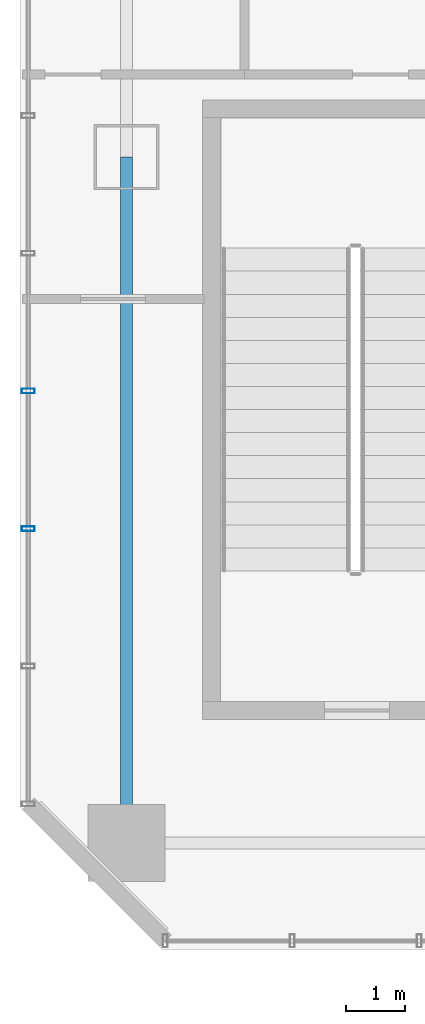
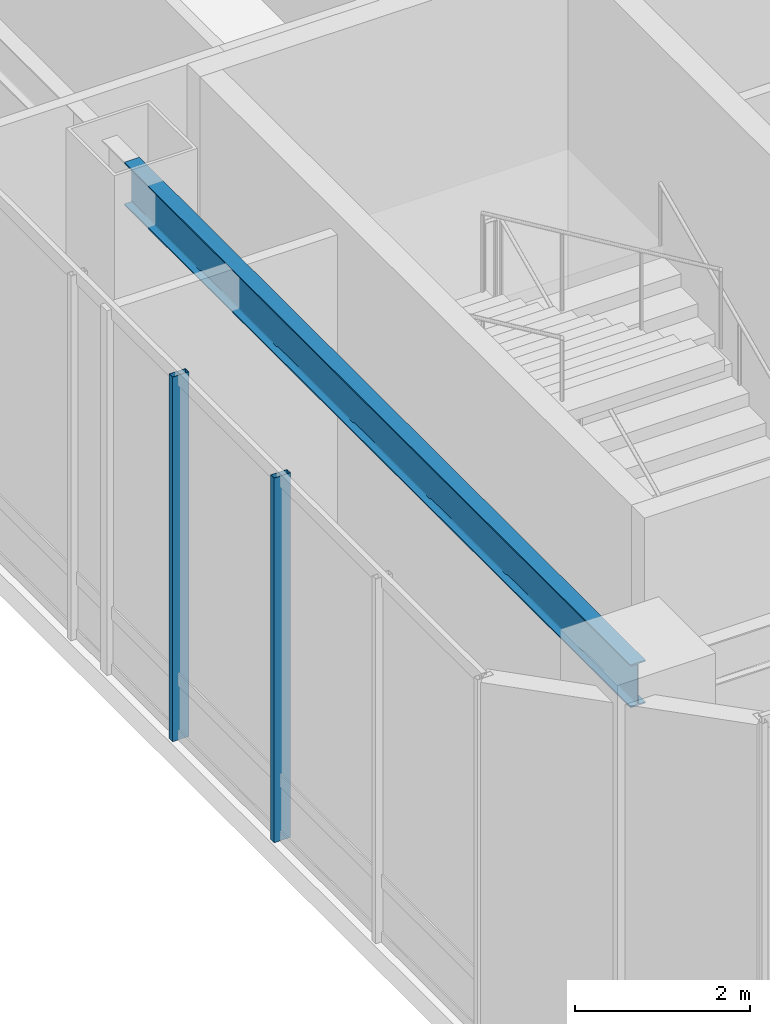
# One storey, part 3 of 35: 2 members, 1 beam, 1 element without a shape of its own.
"""IFC4 building model written with IfcOpenShell, lengths in metres."""

import ifcopenshell
import ifcopenshell.guid

model = None  # the IFC model being written
_history = None  # IfcOwnerHistory: only IFC2X3 demands one
_inside = {}  # id of a spatial element -> (the spatial element, [elements in it])
_under = {}  # id of a project, library or spatial element -> (it, [spatial elements below it])
_declared = {}  # id of a project -> (the project, [libraries it declares])
_typed = {}  # id of a type object -> (the type object, [elements of that type])
_made_of = {}  # id of a material, layer set ... -> (it, [elements and type objects made of it])


def new_model(schema):
    """Start an empty IFC model of exactly this schema.

    Asked for "IFC4X3", IfcOpenShell would pick the latest addendum, in which some entities
    have other attributes; the version numbers below select the first issue.
    IFC2X3 requires an IfcOwnerHistory on every rooted entity: one is made here for all.
    """
    global model, _history
    if schema == "IFC4X3":
        model = ifcopenshell.file(schema_version=(4, 3, 0, 0))
    else:
        model = ifcopenshell.file(schema=schema)
    _inside.clear()
    _under.clear()
    _declared.clear()
    _typed.clear()
    _made_of.clear()
    _history = None
    if model.schema == "IFC2X3":
        org = make("IfcOrganization", Name="unknown")
        user = make(
            "IfcPersonAndOrganization",
            ThePerson=make("IfcPerson", FamilyName="unknown"),
            TheOrganization=org,
        )
        app = make(
            "IfcApplication",
            ApplicationDeveloper=org,
            Version="unknown",
            ApplicationFullName="unknown",
            ApplicationIdentifier="unknown",
        )
        _history = make(
            "IfcOwnerHistory",
            OwningUser=user,
            OwningApplication=app,
            ChangeAction="ADDED",
            CreationDate=0,
        )
    return model


def make(cls, **values):
    """One entity of the class cls with the attributes given. An attribute that is None is left unset."""
    return model.create_entity(
        cls, **{name: value for name, value in values.items() if value is not None}
    )


def rooted(cls, **values):
    """An entity with a GlobalId (a new one), such as an element, a storey or a relation."""
    return make(cls, GlobalId=ifcopenshell.guid.new(), OwnerHistory=_history, **values)


def si_unit(unit_type, name, prefix=None):
    """IfcSIUnit, for example si_unit("LENGTHUNIT", "METRE", prefix="MILLI")."""
    return make("IfcSIUnit", UnitType=unit_type, Prefix=prefix, Name=name)


def assignment(units):
    """IfcUnitAssignment: the units of a project."""
    return None if units is None else make("IfcUnitAssignment", Units=units)


def point(xyz):
    """IfcCartesianPoint."""
    return None if xyz is None else make("IfcCartesianPoint", Coordinates=xyz)


def direction(xyz):
    """IfcDirection."""
    return None if xyz is None else make("IfcDirection", DirectionRatios=xyz)


def frame(location, z_axis=None, x_axis=None):
    """IfcAxis2Placement3D, a coordinate frame: its origin and axes. An axis left out is left unset."""
    return make(
        "IfcAxis2Placement3D",
        Location=point(location),
        Axis=direction(z_axis),
        RefDirection=direction(x_axis),
    )


def frame_2d(location, x_axis=None):
    """IfcAxis2Placement2D, a coordinate frame in the plane: its origin and x axis."""
    return make(
        "IfcAxis2Placement2D", Location=point(location), RefDirection=direction(x_axis)
    )


def origin():
    """The frame at (0, 0, 0) with its axes left unset."""
    return frame((0.0, 0.0, 0.0))


def origin_2d():
    """The frame at (0, 0) in the plane with its x axis left unset."""
    return frame_2d((0.0, 0.0))


def place(relative_to, where):
    """IfcLocalPlacement: puts the frame where relative to a parent placement (None: the world)."""
    return make(
        "IfcLocalPlacement", PlacementRelTo=relative_to, RelativePlacement=where
    )


def context(
    kind, dimensions, precision=None, world=None, true_north=None, identifier=None
):
    """IfcGeometricRepresentationContext, for example the 3D "Model" context."""
    return make(
        "IfcGeometricRepresentationContext",
        ContextIdentifier=identifier,
        ContextType=kind,
        CoordinateSpaceDimension=dimensions,
        Precision=precision,
        WorldCoordinateSystem=world,
        TrueNorth=true_north,
    )


def subcontext(parent, identifier, kind, view, scale=None):
    """IfcGeometricRepresentationSubContext, for example "Body" below "Model"."""
    return make(
        "IfcGeometricRepresentationSubContext",
        ContextIdentifier=identifier,
        ContextType=kind,
        ParentContext=parent,
        TargetScale=scale,
        TargetView=view,
    )


def project(units=None, contexts=None):
    """IfcProject with its units and contexts."""
    return rooted(
        "IfcProject",
        Name="project",
        RepresentationContexts=contexts,
        UnitsInContext=assignment(units),
    )


def spatial(cls, under=None, at=None, **own):
    """A site, building, storey or space (cls), placed at a placement, below another one or the project."""
    s = rooted(cls, ObjectPlacement=at, **own)
    if under is not None:
        _under.setdefault(under.id(), (under, []))[1].append(s)
    return s


def profile(cls, at=None, kind="AREA", **sizes):
    """A parametric profile (cls). Its sizes go by their IFC names, for example OverallWidth=200.0."""
    return make(cls, ProfileType=kind, Position=at, **sizes)


def hollow_rectangle(**sizes):
    """IfcRectangleHollowProfileDef."""
    return profile("IfcRectangleHollowProfileDef", **sizes)


def i_section(**sizes):
    """IfcIShapeProfileDef."""
    return profile("IfcIShapeProfileDef", **sizes)


def extrude(swept, where, along, depth):
    """IfcExtrudedAreaSolid: the profile swept, set in the frame where, extruded along a direction by depth."""
    return make(
        "IfcExtrudedAreaSolid",
        SweptArea=swept,
        Position=where,
        ExtrudedDirection=direction(along),
        Depth=depth,
    )


def shape(context_of_items, identifier, shape_type, items):
    """IfcShapeRepresentation: the items that make up one representation, for example the "Body"."""
    return make(
        "IfcShapeRepresentation",
        ContextOfItems=context_of_items,
        RepresentationIdentifier=identifier,
        RepresentationType=shape_type,
        Items=items,
    )


def material(Name=None, Category=None):
    """IfcMaterial."""
    return make("IfcMaterial", Name=Name, Category=Category)


def layer(
    of_material, thickness, ventilated=None, Name=None, Category=None, Priority=None
):
    """IfcMaterialLayer: one layer of a wall or slab, of a material (None: an air gap)."""
    return make(
        "IfcMaterialLayer",
        Material=of_material,
        LayerThickness=thickness,
        IsVentilated=ventilated,
        Name=Name,
        Category=Category,
        Priority=Priority,
    )


def layer_set(layers, Name=None):
    """IfcMaterialLayerSet."""
    return make("IfcMaterialLayerSet", MaterialLayers=layers, LayerSetName=Name)


def material_profile(
    of_material, cross_section, Name=None, Category=None, Priority=None
):
    """IfcMaterialProfile: a cross section and its material."""
    return make(
        "IfcMaterialProfile",
        Name=Name,
        Material=of_material,
        Profile=cross_section,
        Priority=Priority,
        Category=Category,
    )


def profile_set(profiles, Name=None, composite=None):
    """IfcMaterialProfileSet."""
    return make(
        "IfcMaterialProfileSet",
        Name=Name,
        MaterialProfiles=profiles,
        CompositeProfile=composite,
    )


def made_of(thing, what):
    """Note that an element or type object is made of a material, layer set ...; save() writes the relation."""
    if what is not None:
        _made_of.setdefault(what.id(), (what, []))[1].append(thing)
    return thing


def type_object(cls, material=None, **own):
    """A type object (cls), such as IfcWallType, which elements share."""
    return made_of(rooted(cls, **own), material)


def element(
    cls,
    number,
    at=None,
    inside=None,
    cuts=None,
    type_object=None,
    material=None,
    context=None,
    identifier="Body",
    shape_type=None,
    held_by="IfcProductDefinitionShape",
    body=None,
    shapes=None,
    **own,
):
    """One element of the class cls, such as IfcWall. Its Tag is "e" and its number.

    at: its placement. inside: the storey or other place that contains it. cuts: it is an
    opening in that element (IfcRelVoidsElement). A single representation is given by context,
    identifier, shape_type and body (its items); several are given by shapes. held_by: the class
    of the entity that holds the representations. save() writes the other relations.
    """
    e = rooted(cls, Tag="e%d" % number, ObjectPlacement=at, **own)
    if body is not None:
        shapes = [shape(context, identifier, shape_type, body)]
    if shapes is not None:
        e.Representation = make(held_by, Representations=shapes)
    if inside is not None:
        _inside.setdefault(inside.id(), (inside, []))[1].append(e)
    if cuts is not None:
        rooted(
            "IfcRelVoidsElement", RelatingBuildingElement=cuts, RelatedOpeningElement=e
        )
    if type_object is not None:
        _typed.setdefault(type_object.id(), (type_object, []))[1].append(e)
    return made_of(e, material)


def aggregate(whole, parts):
    """IfcRelAggregates: a whole, such as a stair, and the parts it consists of."""
    return rooted("IfcRelAggregates", RelatingObject=whole, RelatedObjects=parts)


def save(model, path):
    """Write the relations noted so far, then the file.

    IfcRelAggregates (storeys below a building ...), IfcRelContainedInSpatialStructure (elements
    in a storey), IfcRelDefinesByType, IfcRelAssociatesMaterial and IfcRelDeclares: one each for
    every whole, place, type object, material and project.
    """
    for whole, parts in _under.values():
        aggregate(whole, parts)
    for where, things in _inside.values():
        rooted(
            "IfcRelContainedInSpatialStructure",
            RelatedElements=things,
            RelatingStructure=where,
        )
    for kind, things in _typed.values():
        rooted("IfcRelDefinesByType", RelatedObjects=things, RelatingType=kind)
    for what, things in _made_of.values():
        rooted("IfcRelAssociatesMaterial", RelatedObjects=things, RelatingMaterial=what)
    for by, libraries in _declared.values():
        rooted("IfcRelDeclares", RelatingContext=by, RelatedDefinitions=libraries)
    model.write(path)


model = new_model("IFC4")

# Units and contexts
model_context = context("Model", 3, precision=1e-05, world=origin(), true_north=direction((0.0, 1.0)))
body_context = subcontext(model_context, "Body", "Model", "MODEL_VIEW")
ifc_project = project(units=[si_unit("LENGTHUNIT", "METRE"), si_unit("AREAUNIT", "SQUARE_METRE"), si_unit("VOLUMEUNIT", "CUBIC_METRE"), si_unit("PLANEANGLEUNIT", "RADIAN"), si_unit("MASSUNIT", "GRAM", prefix="KILO")], contexts=[model_context])

# Site, building, storey
site_placement = place(None, origin())
site = spatial("IfcSite", under=ifc_project, at=site_placement, CompositionType="ELEMENT")
building_placement = place(site_placement, origin())
building = spatial("IfcBuilding", under=site, at=building_placement, Name="Hatsunagi Terrace Concourse", CompositionType="ELEMENT")
storey_placement = place(building_placement, frame((0.0, 0.0, 16.199951171875)))
storey = spatial("IfcBuildingStorey", under=building, at=storey_placement, Name="L04", CompositionType="ELEMENT", Elevation=16.199951171875)

# Curtain wall, members
ifc_material_1 = material(Name="Anodised Aluminium Alloy 6063-T5", Category="aluminium")
ifc_layer = layer(ifc_material_1, 0.199951171875)
ifc_layer_set = layer_set([ifc_layer], Name="PodiumStorefront_CW01")
curtain_wall_type = type_object("IfcCurtainWallType", Name="PodiumStorefront_CW01", PredefinedType="NOTDEFINED", material=ifc_layer_set)
curtain_wall_placement = place(storey_placement, origin())
curtain_wall = element("IfcCurtainWall", 1, at=curtain_wall_placement, inside=storey, type_object=curtain_wall_type, Name="Unitised Curtain Wall CW-01 CW-L04-10", PredefinedType="NOTDEFINED")
ifc_material_2 = material(Name="Anodised Aluminium Alloy 6063-T5", Category="aluminium")
ifc_material_profile_1 = material_profile(ifc_material_2, hollow_rectangle(XDim=0.080078125, YDim=0.219970703125, WallThickness=0.0048828125, at=origin_2d()), Name="ALU-MUL-220x80x5")
ifc_profile_set_1 = profile_set([ifc_material_profile_1], Name="Anodised Aluminium Alloy 6063-T5")
member_type = type_object("IfcMemberType", Name="CurtainWallMullion_Heavy_220x80", PredefinedType="MULLION", material=ifc_profile_set_1)
member_1_placement = place(storey_placement, frame((0.139892578125, 30.514892578125, 0.0), z_axis=(0.0, 0.0, 1.0), x_axis=(0.0, 1.0, 0.0)))
member_1 = element("IfcMember", 2, at=member_1_placement, type_object=member_type, Name="Curtain Wall Mullion MUL-01", PredefinedType="MULLION", context=body_context, shape_type="SweptSolid", body=[
    extrude(hollow_rectangle(XDim=0.080078125, YDim=0.219970703125, WallThickness=0.0048828125, at=origin_2d()), origin(), (0.0, 0.0, 1.0), 5.10009765625),
])
member_2_placement = place(storey_placement, frame((0.139892578125, 32.843017578125, 0.0), z_axis=(0.0, 0.0, 1.0), x_axis=(0.0, 1.0, 0.0)))
member_2 = element("IfcMember", 3, at=member_2_placement, type_object=member_type, Name="Curtain Wall Mullion MUL-01", PredefinedType="MULLION", context=body_context, shape_type="SweptSolid", body=[
    extrude(hollow_rectangle(XDim=0.080078125, YDim=0.219970703125, WallThickness=0.0048828125, at=origin_2d()), origin(), (0.0, 0.0, 1.0), 5.10009765625),
])
aggregate(curtain_wall, [member_1, member_2])

# Beam
ifc_material_3 = material(Name="Steel SN490B", Category="steel")
ifc_material_profile_2 = material_profile(ifc_material_3, i_section(OverallWidth=0.199951171875, OverallDepth=0.60009765625, WebThickness=0.010986328125, FlangeThickness=0.01708984375, FilletRadius=0.01806640625, at=origin_2d()), Name="H-600x200x11x17")
ifc_profile_set_2 = profile_set([ifc_material_profile_2], Name="Steel SN490B")
beam_type = type_object("IfcBeamType", Name="PerimeterSpandrel_H_600x200", PredefinedType="SPANDREL", material=ifc_profile_set_2)
beam_placement = place(storey_placement, frame((1.800048828125, 25.199951171875, 4.800048828125), z_axis=(0.0, 1.0, 0.0), x_axis=(-1.0, 0.0, 0.0)))
element("IfcBeam", 4, at=beam_placement, inside=storey, type_object=beam_type, Name="Beam SP-01 BM-L04-NS-1-25", PredefinedType="SPANDREL", context=body_context, shape_type="SweptSolid", body=[
    extrude(i_section(OverallWidth=0.199951171875, OverallDepth=0.60009765625, WebThickness=0.010986328125, FlangeThickness=0.01708984375, FilletRadius=0.01806640625, at=origin_2d()), origin(), (0.0, 0.0, 1.0), 11.60009765625),
])

save(model, "model.ifc")
